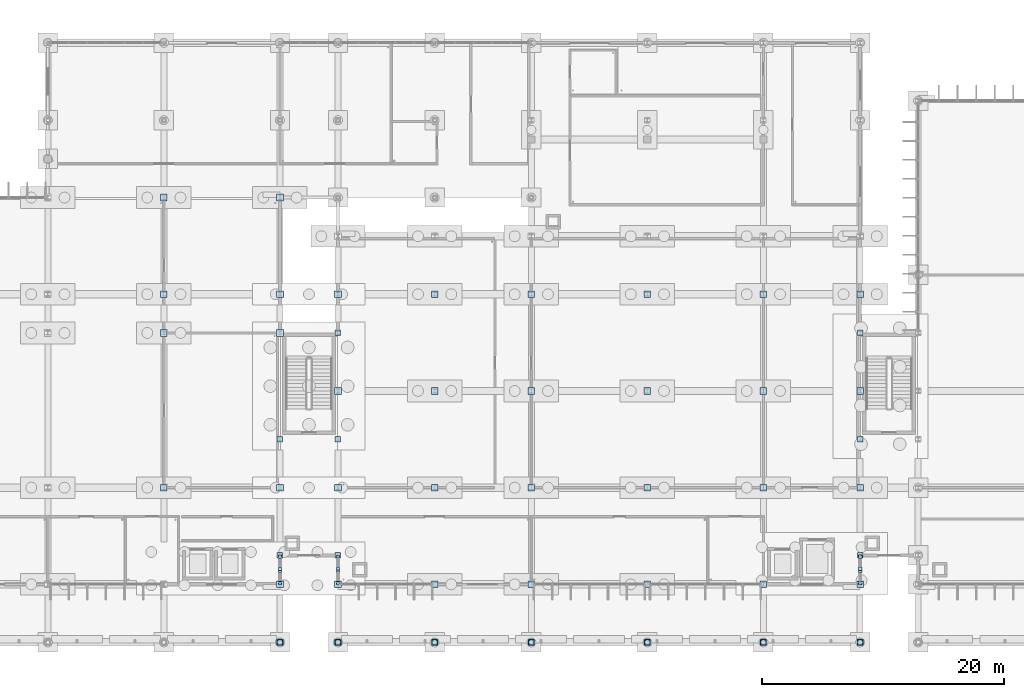
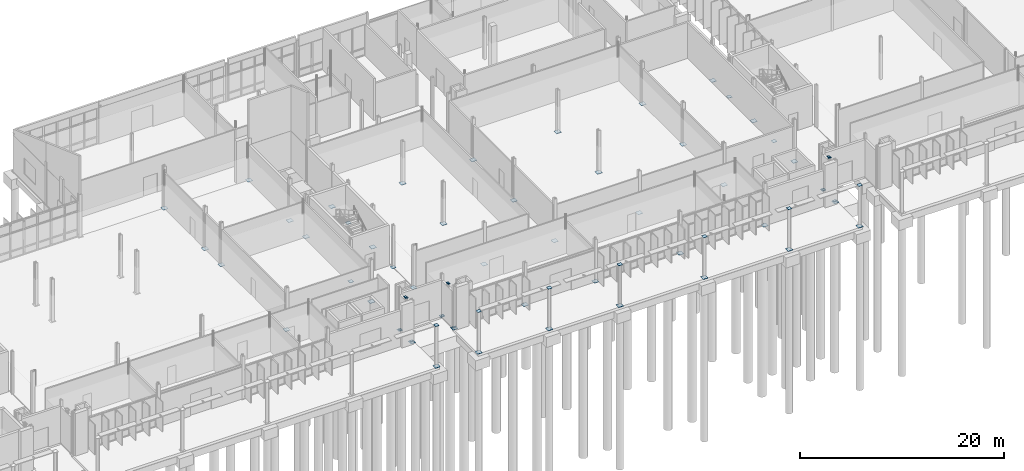
# One storey, part 54 of 111: 67 plates.
"""IFC4 building model written with IfcOpenShell, lengths in metres."""

from ifc_helpers import new_model, si_unit, direction, frame, origin, origin_2d, place, context, subcontext, project, spatial, rectangle, extrude, material, layer, layer_set, type_object, element, save


model = new_model("IFC4")

# Units and contexts
model_context = context("Model", 3, precision=1e-05, world=origin(), true_north=direction((0.0, 1.0)))
body_context = subcontext(model_context, "Body", "Model", "MODEL_VIEW")
ifc_project = project(units=[si_unit("LENGTHUNIT", "METRE"), si_unit("AREAUNIT", "SQUARE_METRE"), si_unit("VOLUMEUNIT", "CUBIC_METRE"), si_unit("PLANEANGLEUNIT", "RADIAN"), si_unit("MASSUNIT", "GRAM", prefix="KILO")], contexts=[model_context])

# Site, building, storey
site_placement = place(None, origin())
site = spatial("IfcSite", under=ifc_project, at=site_placement, CompositionType="ELEMENT")
building_placement = place(site_placement, origin())
building = spatial("IfcBuilding", under=site, at=building_placement, Name="Dunescarp Central Library", CompositionType="ELEMENT")
storey_placement = place(building_placement, origin())
storey = spatial("IfcBuildingStorey", under=building, at=storey_placement, Name="L00", CompositionType="ELEMENT", Elevation=0.0)

# Plates
ifc_material = material(Name="Steel S355J0", Category="steel")
ifc_layer_1 = layer(ifc_material, 0.031982421875)
ifc_layer_set_1 = layer_set([ifc_layer_1], Name="Steel S355J0")
plate_type_1 = type_object("IfcPlateType", Name="STR-PLT-BP02", PredefinedType="USERDEFINED", material=ifc_layer_set_1)
for number, where, z_axis, x_axis, name in (
    (1, (67.199951171875, 12.800048828125, -0.03076171875), (0.0, 0.0, 1.0), (1.0, 0.0, 0.0), "Column base plate BPL-045"),
    (2, (67.199951171875, 25.60009765625, -0.03076171875), (0.0, 0.0, 1.0), (1.0, 0.0, 0.0), "Column base plate BPL-046"),
    (3, (67.199951171875, 36.800048828125, -0.03076171875), (0.0, 0.0, 1.0), (1.0, 0.0, 0.0), "Column base plate BPL-047"),
    (4, (76.800048828125, 4.800048828125, -0.03076171875), (0.0, 0.0, 1.0), (1.0, 0.0, 0.0), "Column base plate BPL-048"),
    (5, (76.800048828125, 12.800048828125, -0.03076171875), (0.0, 0.0, 1.0), (1.0, 0.0, 0.0), "Column base plate BPL-049"),
    (6, (76.800048828125, 25.60009765625, -0.03076171875), (0.0, 0.0, 1.0), (1.0, 0.0, 0.0), "Column base plate BPL-050"),
    (7, (76.800048828125, 36.800048828125, -0.03076171875), (0.0, 0.0, 1.0), (1.0, 0.0, 0.0), "Column base plate BPL-051"),
    (8, (67.199951171875, 28.800048828125, -0.03076171875), (0.0, 0.0, 1.0), (1.0, 0.0, 0.0), "Column base plate BPL-055"),
    (9, (76.800048828125, 28.800048828125, -0.03076171875), (0.0, 0.0, 1.0), (1.0, 0.0, 0.0), "Column base plate BPL-056"),
    (10, (81.60009765625, 4.800048828125, -0.03076171875), (0.0, 0.0, 1.0), (1.0, 0.0, 0.0), "Column base plate BPL-061"),
    (11, (81.60009765625, 12.800048828125, -0.03076171875), (0.0, 0.0, 1.0), (1.0, 0.0, 0.0), "Column base plate BPL-062"),
    (12, (81.60009765625, 20.800048828125, -0.03076171875), (0.0, 0.0, 1.0), (1.0, 0.0, 0.0), "Column base plate BPL-063"),
    (13, (81.60009765625, 28.800048828125, -0.03076171875), (0.0, 0.0, 1.0), (1.0, 0.0, 0.0), "Column base plate BPL-064"),
    (14, (89.60009765625, 4.800048828125, -0.03076171875), (0.0, 0.0, 1.0), (1.0, 0.0, 0.0), "Column base plate BPL-066"),
    (15, (89.60009765625, 12.800048828125, -0.03076171875), (0.0, 0.0, 1.0), (1.0, 0.0, 0.0), "Column base plate BPL-067"),
    (16, (89.60009765625, 20.800048828125, -0.03076171875), (0.0, 0.0, 1.0), (1.0, 0.0, 0.0), "Column base plate BPL-068"),
    (17, (89.60009765625, 28.800048828125, -0.03076171875), (0.0, 0.0, 1.0), (1.0, 0.0, 0.0), "Column base plate BPL-069"),
    (18, (97.60009765625, 4.800048828125, -0.03076171875), (0.0, 0.0, 1.0), (1.0, 0.0, 0.0), "Column base plate BPL-071"),
    (19, (97.60009765625, 12.800048828125, -0.03076171875), (0.0, 0.0, 1.0), (1.0, 0.0, 0.0), "Column base plate BPL-072"),
    (20, (97.60009765625, 20.800048828125, -0.03076171875), (0.0, 0.0, 1.0), (1.0, 0.0, 0.0), "Column base plate BPL-073"),
    (21, (97.60009765625, 28.800048828125, -0.03076171875), (0.0, 0.0, 1.0), (1.0, 0.0, 0.0), "Column base plate BPL-074"),
    (22, (107.199951171875, 4.800048828125, -0.03076171875), (0.0, 0.0, 1.0), (1.0, 0.0, 0.0), "Column base plate BPL-076"),
    (23, (107.199951171875, 12.800048828125, -0.03076171875), (0.0, 0.0, 1.0), (1.0, 0.0, 0.0), "Column base plate BPL-077"),
    (24, (107.199951171875, 20.800048828125, -0.03076171875), (0.0, 0.0, 1.0), (1.0, 0.0, 0.0), "Column base plate BPL-078"),
    (25, (107.199951171875, 28.800048828125, -0.03076171875), (0.0, 0.0, 1.0), (1.0, 0.0, 0.0), "Column base plate BPL-079"),
    (26, (116.800048828125, 4.800048828125, -0.03076171875), (0.0, 0.0, 1.0), (1.0, 0.0, 0.0), "Column base plate BPL-081"),
    (27, (116.800048828125, 12.800048828125, -0.03076171875), (0.0, 0.0, 1.0), (1.0, 0.0, 0.0), "Column base plate BPL-082"),
    (28, (116.800048828125, 20.800048828125, -0.03076171875), (0.0, 0.0, 1.0), (1.0, 0.0, 0.0), "Column base plate BPL-083"),
    (29, (116.800048828125, 28.800048828125, -0.03076171875), (0.0, 0.0, 1.0), (1.0, 0.0, 0.0), "Column base plate BPL-084"),
    (30, (124.800048828125, 4.800048828125, -0.03076171875), (0.0, 0.0, 1.0), (1.0, 0.0, 0.0), "Column base plate BPL-086"),
    (31, (124.800048828125, 12.800048828125, -0.03076171875), (0.0, 0.0, 1.0), (1.0, 0.0, 0.0), "Column base plate BPL-087"),
    (32, (124.800048828125, 20.800048828125, -0.03076171875), (0.0, 0.0, 1.0), (1.0, 0.0, 0.0), "Column base plate BPL-088"),
    (33, (124.800048828125, 28.800048828125, -0.03076171875), (0.0, 0.0, 1.0), (1.0, 0.0, 0.0), "Column base plate BPL-089"),
    (34, (76.800048828125, 0.0, -0.03076171875), (0.0, 0.0, 1.0), (1.0, 0.0, 0.0), "Column base plate BPL-180"),
    (35, (81.60009765625, 0.0, -0.03076171875), (0.0, 0.0, 1.0), (1.0, 0.0, 0.0), "Column base plate BPL-181"),
    (36, (89.60009765625, 0.0, -0.03076171875), (0.0, 0.0, 1.0), (1.0, 0.0, 0.0), "Column base plate BPL-182"),
    (37, (97.60009765625, 0.0, -0.03076171875), (0.0, 0.0, 1.0), (1.0, 0.0, 0.0), "Column base plate BPL-183"),
    (38, (107.199951171875, 0.0, -0.03076171875), (0.0, 0.0, 1.0), (1.0, 0.0, 0.0), "Column base plate BPL-184"),
    (39, (116.800048828125, 0.0, -0.03076171875), (0.0, 0.0, 1.0), (1.0, 0.0, 0.0), "Column base plate BPL-185"),
    (40, (124.800048828125, 0.0, -0.03076171875), (0.0, 0.0, 1.0), (1.0, 0.0, 0.0), "Column base plate BPL-186"),
):
    element("IfcPlate", number, at=place(storey_placement, frame(where, z_axis=z_axis, x_axis=x_axis)), inside=storey, type_object=plate_type_1, Name=name, ObjectType="BASE_PLATE", PredefinedType="USERDEFINED", context=body_context, shape_type="SweptSolid", body=[
        extrude(rectangle(XDim=0.550048828125, YDim=0.550048828125, at=origin_2d()), origin(), (0.0, 0.0, 1.0), 0.031982421875),
    ])
ifc_layer_2 = layer(ifc_material, 0.028076171875)
ifc_layer_set_2 = layer_set([ifc_layer_2], Name="Steel S355J0")
plate_type_2 = type_object("IfcPlateType", Name="STR-PLT-BP03", PredefinedType="USERDEFINED", material=ifc_layer_set_2)
for number, where, z_axis, x_axis, name in (
    (41, (76.800048828125, 7.199951171875, -0.02880859375), (0.0, 0.0, 1.0), (1.0, 0.0, 0.0), "Column base plate BPL-059"),
    (42, (76.800048828125, 16.800048828125, -0.02880859375), (0.0, 0.0, 1.0), (1.0, 0.0, 0.0), "Column base plate BPL-060"),
    (43, (81.60009765625, 7.199951171875, -0.02880859375), (0.0, 0.0, 1.0), (1.0, 0.0, 0.0), "Column base plate BPL-091"),
    (44, (81.60009765625, 16.800048828125, -0.02880859375), (0.0, 0.0, 1.0), (1.0, 0.0, 0.0), "Column base plate BPL-092"),
    (45, (81.60009765625, 25.60009765625, -0.02880859375), (0.0, 0.0, 1.0), (1.0, 0.0, 0.0), "Column base plate BPL-093"),
    (46, (124.800048828125, 7.199951171875, -0.02880859375), (0.0, 0.0, 1.0), (1.0, 0.0, 0.0), "Column base plate BPL-094"),
    (47, (124.800048828125, 16.800048828125, -0.02880859375), (0.0, 0.0, 1.0), (1.0, 0.0, 0.0), "Column base plate BPL-095"),
    (48, (124.800048828125, 25.60009765625, -0.02880859375), (0.0, 0.0, 1.0), (1.0, 0.0, 0.0), "Column base plate BPL-096"),
):
    element("IfcPlate", number, at=place(storey_placement, frame(where, z_axis=z_axis, x_axis=x_axis)), inside=storey, type_object=plate_type_2, Name=name, ObjectType="BASE_PLATE", PredefinedType="USERDEFINED", context=body_context, shape_type="SweptSolid", body=[
        extrude(rectangle(XDim=0.449951171875, YDim=0.449951171875, at=origin_2d()), origin(), (0.0, 0.0, 1.0), 0.028076171875),
    ])
ifc_layer_3 = layer(ifc_material, 0.035888671875)
ifc_layer_set_3 = layer_set([ifc_layer_3], Name="Steel S355J0")
plate_type_3 = type_object("IfcPlateType", Name="STR-PLT-ECP1", PredefinedType="USERDEFINED", material=ifc_layer_set_3)
for number, where, z_axis, x_axis, name in (
    (49, (76.800048828125, 0.0, 4.904296875), (0.0, 0.0, 1.0), (1.0, 0.0, 0.0), "Column top cap plate ECP-C013"),
    (50, (81.60009765625, 0.0, 4.904296875), (0.0, 0.0, 1.0), (1.0, 0.0, 0.0), "Column top cap plate ECP-C014"),
    (51, (89.60009765625, 0.0, 4.904296875), (0.0, 0.0, 1.0), (1.0, 0.0, 0.0), "Column top cap plate ECP-C015"),
    (52, (97.60009765625, 0.0, 4.904296875), (0.0, 0.0, 1.0), (1.0, 0.0, 0.0), "Column top cap plate ECP-C016"),
    (53, (107.199951171875, 0.0, 4.904296875), (0.0, 0.0, 1.0), (1.0, 0.0, 0.0), "Column top cap plate ECP-C017"),
    (54, (116.800048828125, 0.0, 4.904296875), (0.0, 0.0, 1.0), (1.0, 0.0, 0.0), "Column top cap plate ECP-C018"),
    (55, (124.800048828125, 0.0, 4.904296875), (0.0, 0.0, 1.0), (1.0, 0.0, 0.0), "Column top cap plate ECP-C019"),
):
    element("IfcPlate", number, at=place(storey_placement, frame(where, z_axis=z_axis, x_axis=x_axis)), inside=storey, type_object=plate_type_3, Name=name, ObjectType="GUSSET_PLATE", PredefinedType="USERDEFINED", context=body_context, shape_type="SweptSolid", body=[
        extrude(rectangle(XDim=0.416015625, YDim=0.416015625, at=origin_2d()), origin(), (0.0, 0.0, 1.0), 0.035888671875),
    ])
ifc_layer_4 = layer(ifc_material, 0.02001953125)
ifc_layer_set_4 = layer_set([ifc_layer_4], Name="Steel S355J0")
plate_type_4 = type_object("IfcPlateType", Name="STR-PLT-GUS1", PredefinedType="USERDEFINED", material=ifc_layer_set_4)
for number, where, z_axis, x_axis, name in (
    (56, (76.800048828125, 4.919921875, 0.02685546875), (0.0, 0.0, 1.0), (1.0, 0.0, 0.0), "Brace foot gusset plate GP-045"),
    (57, (76.800048828125, 7.080078125, 0.02685546875), (0.0, 0.0, 1.0), (1.0, 0.0, 0.0), "Brace foot gusset plate GP-047"),
):
    element("IfcPlate", number, at=place(storey_placement, frame(where, z_axis=z_axis, x_axis=x_axis)), inside=storey, type_object=plate_type_4, Name=name, ObjectType="GUSSET_PLATE", PredefinedType="USERDEFINED", context=body_context, shape_type="SweptSolid", body=[
        extrude(rectangle(XDim=0.25390625, YDim=0.25390625, at=origin_2d()), origin(), (0.0, 0.0, 1.0), 0.035888671875),
    ])
for number, where, z_axis, x_axis, name in (
    (58, (81.60009765625, 4.919921875, 0.02685546875), (0.0, 0.0, 1.0), (1.0, 0.0, 0.0), "Brace foot gusset plate GP-065"),
    (59, (81.60009765625, 7.080078125, 0.02685546875), (0.0, 0.0, 1.0), (1.0, 0.0, 0.0), "Brace foot gusset plate GP-067"),
):
    element("IfcPlate", number, at=place(storey_placement, frame(where, z_axis=z_axis, x_axis=x_axis)), inside=storey, type_object=plate_type_4, Name=name, ObjectType="GUSSET_PLATE", PredefinedType="USERDEFINED", context=body_context, shape_type="SweptSolid", body=[
        extrude(rectangle(XDim=0.22802734375, YDim=0.22802734375, at=origin_2d()), origin(), (0.0, 0.0, 1.0), 0.035888671875),
    ])
for number, where, z_axis, x_axis, name in (
    (60, (124.800048828125, 4.919921875, 0.02685546875), (0.0, 0.0, 1.0), (1.0, 0.0, 0.0), "Brace foot gusset plate GP-081"),
    (61, (124.800048828125, 7.080078125, 0.02685546875), (0.0, 0.0, 1.0), (1.0, 0.0, 0.0), "Brace foot gusset plate GP-083"),
):
    element("IfcPlate", number, at=place(storey_placement, frame(where, z_axis=z_axis, x_axis=x_axis)), inside=storey, type_object=plate_type_4, Name=name, ObjectType="GUSSET_PLATE", PredefinedType="USERDEFINED", context=body_context, shape_type="SweptSolid", body=[
        extrude(rectangle(XDim=0.279052734375, YDim=0.279052734375, at=origin_2d()), origin(), (0.0, 0.0, 1.0), 0.035888671875),
    ])
ifc_layer_5 = layer(ifc_material, 0.01611328125)
ifc_layer_set_5 = layer_set([ifc_layer_5], Name="Steel S355J0")
plate_type_5 = type_object("IfcPlateType", Name="STR-PLT-GUS2", PredefinedType="USERDEFINED", material=ifc_layer_set_5)
for number, where, z_axis, x_axis, name in (
    (62, (76.800048828125, 5.919921875, 4.6220703125), (0.0, 0.0, 1.0), (1.0, 0.0, 0.0), "Brace apex gusset plate GP-046"),
    (63, (76.800048828125, 6.080078125, 4.6220703125), (0.0, 0.0, 1.0), (1.0, 0.0, 0.0), "Brace apex gusset plate GP-048"),
):
    element("IfcPlate", number, at=place(storey_placement, frame(where, z_axis=z_axis, x_axis=x_axis)), inside=storey, type_object=plate_type_5, Name=name, ObjectType="GUSSET_PLATE", PredefinedType="USERDEFINED", context=body_context, shape_type="SweptSolid", body=[
        extrude(rectangle(XDim=0.25390625, YDim=0.25390625, at=origin_2d()), origin(), (0.0, 0.0, 1.0), 0.035888671875),
    ])
for number, where, z_axis, x_axis, name in (
    (64, (81.60009765625, 5.919921875, 4.6220703125), (0.0, 0.0, 1.0), (1.0, 0.0, 0.0), "Brace apex gusset plate GP-066"),
    (65, (81.60009765625, 6.080078125, 4.6220703125), (0.0, 0.0, 1.0), (1.0, 0.0, 0.0), "Brace apex gusset plate GP-068"),
):
    element("IfcPlate", number, at=place(storey_placement, frame(where, z_axis=z_axis, x_axis=x_axis)), inside=storey, type_object=plate_type_5, Name=name, ObjectType="GUSSET_PLATE", PredefinedType="USERDEFINED", context=body_context, shape_type="SweptSolid", body=[
        extrude(rectangle(XDim=0.22802734375, YDim=0.22802734375, at=origin_2d()), origin(), (0.0, 0.0, 1.0), 0.035888671875),
    ])
for number, where, z_axis, x_axis, name in (
    (66, (124.800048828125, 5.919921875, 4.6220703125), (0.0, 0.0, 1.0), (1.0, 0.0, 0.0), "Brace apex gusset plate GP-082"),
    (67, (124.800048828125, 6.080078125, 4.6220703125), (0.0, 0.0, 1.0), (1.0, 0.0, 0.0), "Brace apex gusset plate GP-084"),
):
    element("IfcPlate", number, at=place(storey_placement, frame(where, z_axis=z_axis, x_axis=x_axis)), inside=storey, type_object=plate_type_5, Name=name, ObjectType="GUSSET_PLATE", PredefinedType="USERDEFINED", context=body_context, shape_type="SweptSolid", body=[
        extrude(rectangle(XDim=0.279052734375, YDim=0.279052734375, at=origin_2d()), origin(), (0.0, 0.0, 1.0), 0.035888671875),
    ])

save(model, "model.ifc")
